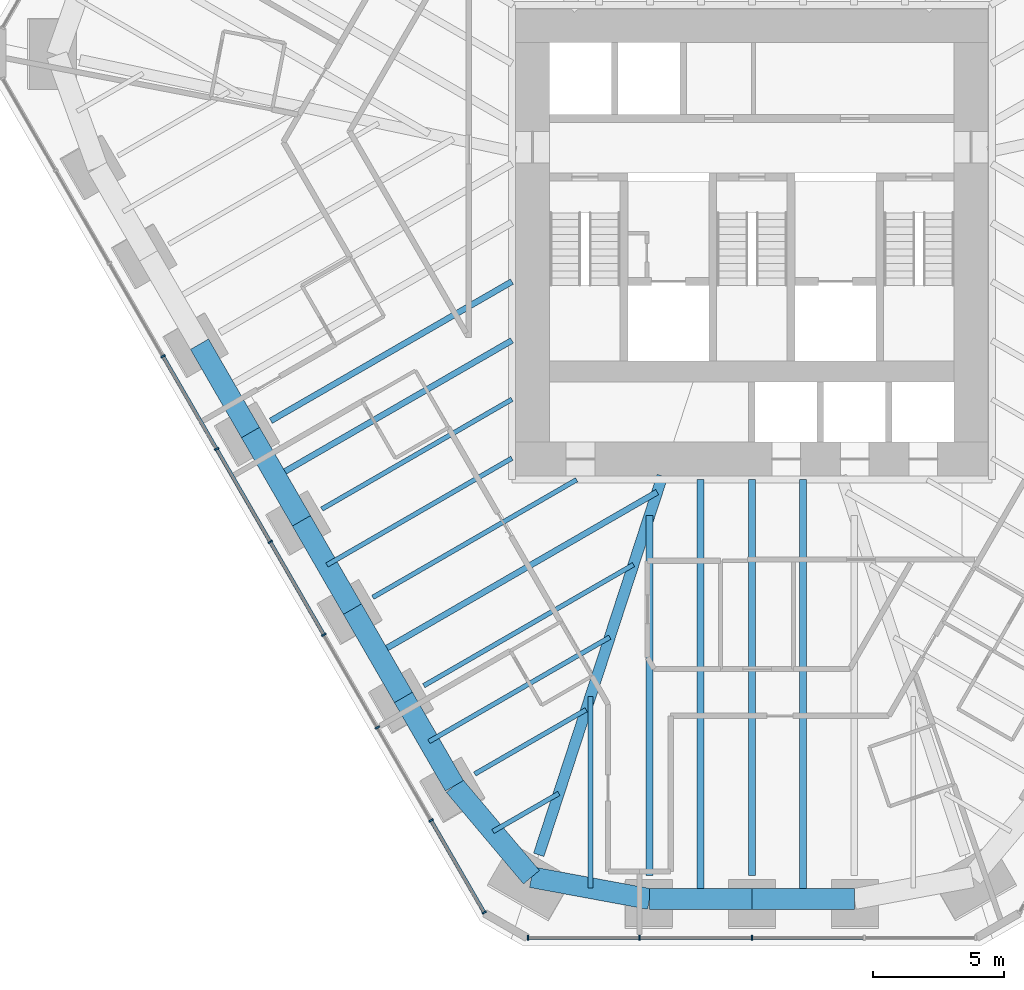
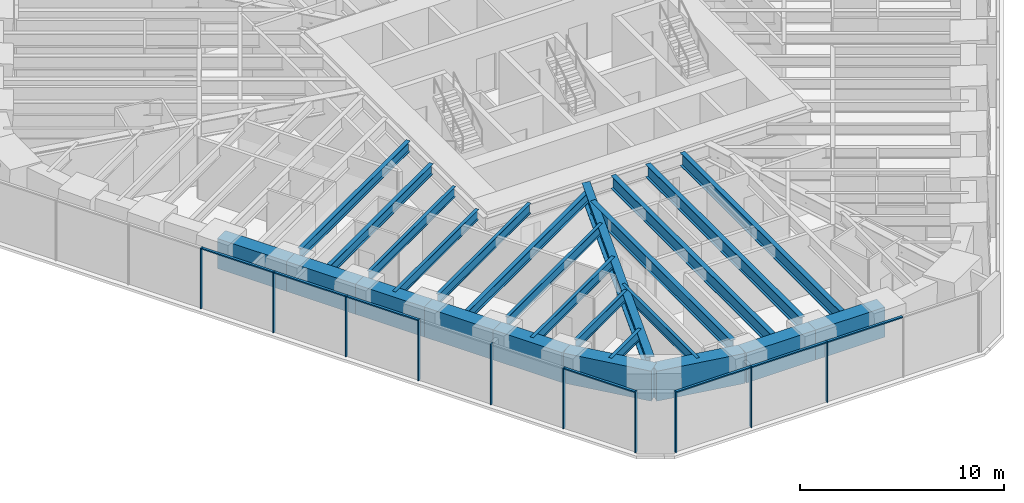
# One storey, part 2 of 17: 25 beams, 17 members, 2 elements without a shape of their own.
"""IFC4 building model written with IfcOpenShell, lengths in metres."""

from ifc_helpers import new_model, si_unit, direction, frame, origin, origin_2d, place, context, subcontext, project, spatial, rectangle, i_section, extrude, material, material_profile, profile_set, type_object, element, aggregate, save


model = new_model("IFC4")

# Units and contexts
model_context = context("Model", 3, precision=1e-05, world=origin(), true_north=direction((0.0, 1.0)))
body_context = subcontext(model_context, "Body", "Model", "MODEL_VIEW")
ifc_project = project(units=[si_unit("LENGTHUNIT", "METRE"), si_unit("AREAUNIT", "SQUARE_METRE"), si_unit("VOLUMEUNIT", "CUBIC_METRE"), si_unit("PLANEANGLEUNIT", "RADIAN"), si_unit("MASSUNIT", "GRAM", prefix="KILO")], contexts=[model_context])

# Site, building, storey
site_placement = place(None, origin())
site = spatial("IfcSite", under=ifc_project, at=site_placement, CompositionType="ELEMENT")
building_placement = place(site_placement, origin())
building = spatial("IfcBuilding", under=site, at=building_placement, Name="Sandreach Pilgrim Tower", CompositionType="ELEMENT")
storey_placement = place(building_placement, frame((0.0, 0.0, 150.0)))
storey = spatial("IfcBuildingStorey", under=building, at=storey_placement, Name="L37", CompositionType="ELEMENT", Elevation=150.0)

# Curtain wall, members
ifc_material_1 = material(Name="Aluminium framed curtain wall", Category="aluminium")
curtain_wall_type = type_object("IfcCurtainWallType", Name="Hotel tower curtain wall", PredefinedType="NOTDEFINED", material=ifc_material_1)
curtain_wall_1_placement = place(storey_placement, origin())
curtain_wall_1 = element("IfcCurtainWall", 1, at=curtain_wall_1_placement, inside=storey, type_object=curtain_wall_type, Name="CW-2 L37 S", PredefinedType="NOTDEFINED")
ifc_material_2 = material(Name="Aluminium extrusion", Category="aluminium")
ifc_material_profile_1 = material_profile(ifc_material_2, rectangle(XDim=0.06494140625, YDim=0.179931640625, at=origin_2d()), Name="CW-2M 65X180")
ifc_profile_set_1 = profile_set([ifc_material_profile_1], Name="Aluminium extrusion")
member_type_1 = type_object("IfcMemberType", Name="CW-2 mullion", PredefinedType="MULLION", material=ifc_profile_set_1)
member_1_placement = place(storey_placement, frame((0.0, -28.192138671875, 0.0), z_axis=(0.0, 0.0, 1.0), x_axis=(-1.0, 0.0, 0.0)))
member_1 = element("IfcMember", 2, at=member_1_placement, type_object=member_type_1, Name="CW-2 mullion 3", PredefinedType="MULLION", context=body_context, shape_type="SweptSolid", body=[
    extrude(rectangle(XDim=0.06494140625, YDim=0.179931640625, at=origin_2d()), origin(), (0.0, 0.0, 1.0), 3.639892578125),
])
member_2_placement = place(storey_placement, frame((-4.3056640625, -28.192138671875, 0.0), z_axis=(0.0, 0.0, 1.0), x_axis=(-1.0, 0.0, 0.0)))
member_2 = element("IfcMember", 3, at=member_2_placement, type_object=member_type_1, Name="CW-2 mullion 4", PredefinedType="MULLION", context=body_context, shape_type="SweptSolid", body=[
    extrude(rectangle(XDim=0.06494140625, YDim=0.179931640625, at=origin_2d()), origin(), (0.0, 0.0, 1.0), 3.639892578125),
])
member_3_placement = place(storey_placement, frame((-8.578857421875, -28.192138671875, 0.0), z_axis=(0.0, 0.0, 1.0), x_axis=(-1.0, 0.0, 0.0)))
member_3 = element("IfcMember", 4, at=member_3_placement, type_object=member_type_1, Name="CW-2 mullion 5", PredefinedType="MULLION", context=body_context, shape_type="SweptSolid", body=[
    extrude(rectangle(XDim=0.06494140625, YDim=0.179931640625, at=origin_2d()), origin(), (0.0, 0.0, 1.0), 3.639892578125),
])

curtain_wall_2_placement = place(storey_placement, origin())
curtain_wall_2 = element("IfcCurtainWall", 5, at=curtain_wall_2_placement, inside=storey, type_object=curtain_wall_type, Name="CW-2 L37 SW", PredefinedType="NOTDEFINED")
member_4_placement = place(storey_placement, frame((-10.255859375, -27.22412109375, 0.0), z_axis=(0.0, 0.0, 1.0), x_axis=(-0.5, 0.866025403784, 0.0)))
member_4 = element("IfcMember", 6, at=member_4_placement, type_object=member_type_1, Name="CW-2 mullion 1", PredefinedType="MULLION", context=body_context, shape_type="SweptSolid", body=[
    extrude(rectangle(XDim=0.06494140625, YDim=0.179931640625, at=origin_2d()), origin(), (0.0, 0.0, 1.0), 3.639892578125),
])
member_5_placement = place(storey_placement, frame((-12.29296875, -23.695556640625, 0.0), z_axis=(0.0, 0.0, 1.0), x_axis=(-0.5, 0.866025403784, 0.0)))
member_5 = element("IfcMember", 7, at=member_5_placement, type_object=member_type_1, Name="CW-2 mullion 2", PredefinedType="MULLION", context=body_context, shape_type="SweptSolid", body=[
    extrude(rectangle(XDim=0.06494140625, YDim=0.179931640625, at=origin_2d()), origin(), (0.0, 0.0, 1.0), 3.639892578125),
])
member_6_placement = place(storey_placement, frame((-14.346435546875, -20.138671875, 0.0), z_axis=(0.0, 0.0, 1.0), x_axis=(-0.5, 0.866025403784, 0.0)))
member_6 = element("IfcMember", 8, at=member_6_placement, type_object=member_type_1, Name="CW-2 mullion 3", PredefinedType="MULLION", context=body_context, shape_type="SweptSolid", body=[
    extrude(rectangle(XDim=0.06494140625, YDim=0.179931640625, at=origin_2d()), origin(), (0.0, 0.0, 1.0), 3.639892578125),
])
member_7_placement = place(storey_placement, frame((-16.39990234375, -16.58203125, 0.0), z_axis=(0.0, 0.0, 1.0), x_axis=(-0.5, 0.866025403784, 0.0)))
member_7 = element("IfcMember", 9, at=member_7_placement, type_object=member_type_1, Name="CW-2 mullion 4", PredefinedType="MULLION", context=body_context, shape_type="SweptSolid", body=[
    extrude(rectangle(XDim=0.06494140625, YDim=0.179931640625, at=origin_2d()), origin(), (0.0, 0.0, 1.0), 3.639892578125),
])
member_8_placement = place(storey_placement, frame((-18.453369140625, -13.025146484375, 0.0), z_axis=(0.0, 0.0, 1.0), x_axis=(-0.5, 0.866025403784, 0.0)))
member_8 = element("IfcMember", 10, at=member_8_placement, type_object=member_type_1, Name="CW-2 mullion 5", PredefinedType="MULLION", context=body_context, shape_type="SweptSolid", body=[
    extrude(rectangle(XDim=0.06494140625, YDim=0.179931640625, at=origin_2d()), origin(), (0.0, 0.0, 1.0), 3.639892578125),
])
member_9_placement = place(storey_placement, frame((-20.5068359375, -9.468505859375, 0.0), z_axis=(0.0, 0.0, 1.0), x_axis=(-0.5, 0.866025403784, 0.0)))
member_9 = element("IfcMember", 11, at=member_9_placement, type_object=member_type_1, Name="CW-2 mullion 6", PredefinedType="MULLION", context=body_context, shape_type="SweptSolid", body=[
    extrude(rectangle(XDim=0.06494140625, YDim=0.179931640625, at=origin_2d()), origin(), (0.0, 0.0, 1.0), 3.639892578125),
])
member_10_placement = place(storey_placement, frame((-22.560302734375, -5.911865234375, 0.0), z_axis=(0.0, 0.0, 1.0), x_axis=(-0.5, 0.866025403784, 0.0)))
member_10 = element("IfcMember", 12, at=member_10_placement, type_object=member_type_1, Name="CW-2 mullion 7", PredefinedType="MULLION", context=body_context, shape_type="SweptSolid", body=[
    extrude(rectangle(XDim=0.06494140625, YDim=0.179931640625, at=origin_2d()), origin(), (0.0, 0.0, 1.0), 3.639892578125),
])

# Member
ifc_material_3 = material(Name="Aluminium extrusion", Category="aluminium")
ifc_material_profile_2 = material_profile(ifc_material_3, rectangle(XDim=0.139892578125, YDim=0.070068359375, at=origin_2d()), Name="CW-2T 140X70")
ifc_profile_set_2 = profile_set([ifc_material_profile_2], Name="Aluminium extrusion")
member_type_2 = type_object("IfcMemberType", Name="CW-2 transom", PredefinedType="USERDEFINED", material=ifc_profile_set_2)
member_11_placement = place(storey_placement, frame((4.273193359375, -28.192138671875, 3.60498046875), z_axis=(-1.0, 0.0, 0.0), x_axis=(0.0, -1.0, 0.0)))
member_11 = element("IfcMember", 13, at=member_11_placement, type_object=member_type_2, Name="CW-2 head transom 2", ObjectType="TRANSOM", PredefinedType="USERDEFINED", context=body_context, shape_type="SweptSolid", body=[
    extrude(rectangle(XDim=0.139892578125, YDim=0.070068359375, at=origin_2d()), origin(), (0.0, 0.0, 1.0), 4.24072265625),
])

member_12_placement = place(storey_placement, frame((-0.032470703125, -28.192138671875, 3.60498046875), z_axis=(-1.0, 0.0, 0.0), x_axis=(0.0, -1.0, 0.0)))
member_12 = element("IfcMember", 14, at=member_12_placement, type_object=member_type_2, Name="CW-2 head transom 3", ObjectType="TRANSOM", PredefinedType="USERDEFINED", context=body_context, shape_type="SweptSolid", body=[
    extrude(rectangle(XDim=0.139892578125, YDim=0.070068359375, at=origin_2d()), origin(), (0.0, 0.0, 1.0), 4.24072265625),
])

member_13_placement = place(storey_placement, frame((-4.338134765625, -28.192138671875, 3.60498046875), z_axis=(-1.0, 0.0, 0.0), x_axis=(0.0, -1.0, 0.0)))
member_13 = element("IfcMember", 15, at=member_13_placement, type_object=member_type_2, Name="CW-2 head transom 4", ObjectType="TRANSOM", PredefinedType="USERDEFINED", context=body_context, shape_type="SweptSolid", body=[
    extrude(rectangle(XDim=0.139892578125, YDim=0.070068359375, at=origin_2d()), origin(), (0.0, 0.0, 1.0), 4.208251953125),
])

aggregate(curtain_wall_1, [member_1, member_2, member_3, member_11, member_12, member_13])

member_14_placement = place(storey_placement, frame((-10.27197265625, -27.196044921875, 3.60498046875), z_axis=(-0.500015851672, 0.866016251624, 0.0), x_axis=(-0.866016251624, -0.500015851672, 0.0)))
member_14 = element("IfcMember", 16, at=member_14_placement, type_object=member_type_2, Name="CW-2 head transom 1", ObjectType="TRANSOM", PredefinedType="USERDEFINED", context=body_context, shape_type="SweptSolid", body=[
    extrude(rectangle(XDim=0.139892578125, YDim=0.070068359375, at=origin_2d()), origin(), (0.0, 0.0, 1.0), 4.009521484375),
])

member_15_placement = place(storey_placement, frame((-16.416259765625, -16.553955078125, 3.60498046875), z_axis=(-0.499997818338, 0.866026663364, 0.0), x_axis=(-0.866026663364, -0.499997818338, 0.0)))
member_15 = element("IfcMember", 17, at=member_15_placement, type_object=member_type_2, Name="CW-2 head transom 4", ObjectType="TRANSOM", PredefinedType="USERDEFINED", context=body_context, shape_type="SweptSolid", body=[
    extrude(rectangle(XDim=0.139892578125, YDim=0.070068359375, at=origin_2d()), origin(), (0.0, 0.0, 1.0), 4.0419921875),
])

member_16_placement = place(storey_placement, frame((-18.4697265625, -12.9970703125, 3.60498046875), z_axis=(-0.499997818338, 0.866026663364, 0.0), x_axis=(-0.866026663364, -0.499997818338, 0.0)))
member_16 = element("IfcMember", 18, at=member_16_placement, type_object=member_type_2, Name="CW-2 head transom 5", ObjectType="TRANSOM", PredefinedType="USERDEFINED", context=body_context, shape_type="SweptSolid", body=[
    extrude(rectangle(XDim=0.139892578125, YDim=0.070068359375, at=origin_2d()), origin(), (0.0, 0.0, 1.0), 4.0419921875),
])

member_17_placement = place(storey_placement, frame((-20.523193359375, -9.4404296875, 3.60498046875), z_axis=(-0.499997818338, 0.866026663364, 0.0), x_axis=(-0.866026663364, -0.499997818338, 0.0)))
member_17 = element("IfcMember", 19, at=member_17_placement, type_object=member_type_2, Name="CW-2 head transom 6", ObjectType="TRANSOM", PredefinedType="USERDEFINED", context=body_context, shape_type="SweptSolid", body=[
    extrude(rectangle(XDim=0.139892578125, YDim=0.070068359375, at=origin_2d()), origin(), (0.0, 0.0, 1.0), 4.0419921875),
])

aggregate(curtain_wall_2, [member_4, member_5, member_6, member_7, member_8, member_9, member_10, member_14, member_15, member_16, member_17])

# Beams
ifc_material_4 = material(Name="Steel ASTM A992 Grade 50", Category="steel")
ifc_material_profile_3 = material_profile(ifc_material_4, i_section(OverallWidth=0.421630859375, OverallDepth=0.937255859375, WebThickness=0.0224609375, FlangeThickness=0.039794921875, at=origin_2d()), Name="W36X282")
ifc_profile_set_3 = profile_set([ifc_material_profile_3], Name="Steel ASTM A992 Grade 50")
beam_type_1 = type_object("IfcBeamType", Name="Corner girder W36X282", PredefinedType="BEAM", material=ifc_profile_set_3)
beam_1_placement = place(storey_placement, frame((-8.166015625, -25.01611328125, 3.17138671875), z_axis=(0.310317157358, 0.950633084765, 0.0), x_axis=(-0.950633084765, 0.310317157358, 0.0)))
element("IfcBeam", 20, at=beam_1_placement, inside=storey, type_object=beam_type_1, Name="BM L37 CG26", PredefinedType="BEAM", context=body_context, shape_type="SweptSolid", body=[
    extrude(i_section(OverallWidth=0.421630859375, OverallDepth=0.937255859375, WebThickness=0.0224609375, FlangeThickness=0.039794921875, at=origin_2d()), origin(), (0.0, 0.0, 1.0), 15.27001953125),
])
ifc_material_5 = material(Name="Steel ASTM A992 Grade 50", Category="steel")
ifc_material_profile_4 = material_profile(ifc_material_5, i_section(OverallWidth=0.1787109375, OverallDepth=0.60205078125, WebThickness=0.010986328125, FlangeThickness=0.014892578125, at=origin_2d()), Name="W24X62")
ifc_profile_set_4 = profile_set([ifc_material_profile_4], Name="Steel ASTM A992 Grade 50")
beam_type_2 = type_object("IfcBeamType", Name="Floor beam W24X62", PredefinedType="BEAM", material=ifc_profile_set_4)
beam_2_placement = place(storey_placement, frame((-10.617431640625, -21.918212890625, 3.339111328125), z_axis=(0.866032927668, 0.499986968025, 0.0), x_axis=(-0.499986968025, 0.866032927668, 0.0)))
element("IfcBeam", 21, at=beam_2_placement, inside=storey, type_object=beam_type_2, Name="BM L37 F27", PredefinedType="BEAM", context=body_context, shape_type="SweptSolid", body=[
    extrude(i_section(OverallWidth=0.1787109375, OverallDepth=0.60205078125, WebThickness=0.010986328125, FlangeThickness=0.014892578125, at=origin_2d()), origin(), (0.0, 0.0, 1.0), 4.927001953125),
])
beam_3_placement = place(storey_placement, frame((-12.570556640625, -18.53515625, 3.339111328125), z_axis=(0.866014236654, 0.500019341538, 0.0), x_axis=(-0.500019341538, 0.866014236654, 0.0)))
element("IfcBeam", 22, at=beam_3_placement, inside=storey, type_object=beam_type_2, Name="BM L37 F28", PredefinedType="BEAM", context=body_context, shape_type="SweptSolid", body=[
    extrude(i_section(OverallWidth=0.1787109375, OverallDepth=0.60205078125, WebThickness=0.010986328125, FlangeThickness=0.014892578125, at=origin_2d()), origin(), (0.0, 0.0, 1.0), 9.277587890625),
])
beam_4_placement = place(storey_placement, frame((-14.52392578125, -15.15185546875, 3.339111328125), z_axis=(0.86602010863, 0.500009171364, 0.0), x_axis=(-0.500009171364, 0.86602010863, 0.0)))
element("IfcBeam", 23, at=beam_4_placement, inside=storey, type_object=beam_type_2, Name="BM L37 F29", PredefinedType="BEAM", context=body_context, shape_type="SweptSolid", body=[
    extrude(i_section(OverallWidth=0.1787109375, OverallDepth=0.60205078125, WebThickness=0.010986328125, FlangeThickness=0.014892578125, at=origin_2d()), origin(), (0.0, 0.0, 1.0), 9.016845703125),
])
beam_5_placement = place(storey_placement, frame((-16.477294921875, -11.7685546875, 3.339111328125), z_axis=(0.866028486751, 0.499994660107, 0.0), x_axis=(-0.499994660107, 0.866028486751, 0.0)))
element("IfcBeam", 24, at=beam_5_placement, inside=storey, type_object=beam_type_2, Name="BM L37 F30", PredefinedType="BEAM", context=body_context, shape_type="SweptSolid", body=[
    extrude(i_section(OverallWidth=0.1787109375, OverallDepth=0.60205078125, WebThickness=0.010986328125, FlangeThickness=0.014892578125, at=origin_2d()), origin(), (0.0, 0.0, 1.0), 8.41064453125),
])
beam_6_placement = place(storey_placement, frame((-6.183837890625, -26.28955078125, 3.339111328125), z_axis=(0.0, 1.0, 0.0), x_axis=(-1.0, 0.0, 0.0)))
element("IfcBeam", 25, at=beam_6_placement, inside=storey, type_object=beam_type_2, Name="BM L37 FM25", PredefinedType="BEAM", context=body_context, shape_type="SweptSolid", body=[
    extrude(i_section(OverallWidth=0.1787109375, OverallDepth=0.60205078125, WebThickness=0.010986328125, FlangeThickness=0.014892578125, at=origin_2d()), origin(), (0.0, 0.0, 1.0), 7.345947265625),
])
beam_7_placement = place(storey_placement, frame((-9.9208984375, -24.119873046875, 3.339111328125), z_axis=(0.866037657489, 0.499978775361, 0.0), x_axis=(-0.499978775361, 0.866037657489, 0.0)))
element("IfcBeam", 26, at=beam_7_placement, inside=storey, type_object=beam_type_2, Name="BM L37 FM26", PredefinedType="BEAM", context=body_context, shape_type="SweptSolid", body=[
    extrude(i_section(OverallWidth=0.1787109375, OverallDepth=0.60205078125, WebThickness=0.010986328125, FlangeThickness=0.014892578125, at=origin_2d()), origin(), (0.0, 0.0, 1.0), 2.913330078125),
])
beam_8_placement = place(storey_placement, frame((-12.37353515625, -20.6767578125, 3.339111328125), z_axis=(0.866020974757, 0.500007671222, 0.0), x_axis=(-0.500007671222, 0.866020974757, 0.0)))
element("IfcBeam", 27, at=beam_8_placement, inside=storey, type_object=beam_type_2, Name="BM L37 FM27", PredefinedType="BEAM", context=body_context, shape_type="SweptSolid", body=[
    extrude(i_section(OverallWidth=0.1787109375, OverallDepth=0.60205078125, WebThickness=0.010986328125, FlangeThickness=0.014892578125, at=origin_2d()), origin(), (0.0, 0.0, 1.0), 8.002197265625),
])
beam_9_placement = place(storey_placement, frame((-16.280029296875, -13.91015625, 3.339111328125), z_axis=(0.866035044717, 0.499983301043, 0.0), x_axis=(-0.499983301043, 0.866035044717, 0.0)))
element("IfcBeam", 28, at=beam_9_placement, inside=storey, type_object=beam_type_2, Name="BM L37 FM29", PredefinedType="BEAM", context=body_context, shape_type="SweptSolid", body=[
    extrude(i_section(OverallWidth=0.1787109375, OverallDepth=0.60205078125, WebThickness=0.010986328125, FlangeThickness=0.014892578125, at=origin_2d()), origin(), (0.0, 0.0, 1.0), 8.182861328125),
])
ifc_material_6 = material(Name="Steel ASTM A992 Grade 50", Category="steel")
ifc_material_profile_5 = material_profile(ifc_material_6, i_section(OverallWidth=0.23046875, OverallDepth=0.6171875, WebThickness=0.01318359375, FlangeThickness=0.022216796875, at=origin_2d()), Name="W24X94")
ifc_profile_set_5 = profile_set([ifc_material_profile_5], Name="Steel ASTM A992 Grade 50")
beam_type_3 = type_object("IfcBeamType", Name="Floor beam W24X94", PredefinedType="BEAM", material=ifc_profile_set_5)
beam_10_placement = place(storey_placement, frame((-18.4306640625, -8.385498046875, 3.331298828125), z_axis=(0.866021684948, 0.500006441159, 0.0), x_axis=(-0.500006441159, 0.866021684948, 0.0)))
element("IfcBeam", 29, at=beam_10_placement, inside=storey, type_object=beam_type_3, Name="BM L37 F31", PredefinedType="BEAM", context=body_context, shape_type="SweptSolid", body=[
    extrude(i_section(OverallWidth=0.23046875, OverallDepth=0.6171875, WebThickness=0.01318359375, FlangeThickness=0.022216796875, at=origin_2d()), origin(), (0.0, 0.0, 1.0), 10.666259765625),
])
beam_11_placement = place(storey_placement, frame((-14.32666015625, -17.29345703125, 3.331298828125), z_axis=(0.86602826301, 0.499995047643, 0.0), x_axis=(-0.499995047643, 0.86602826301, 0.0)))
element("IfcBeam", 30, at=beam_11_placement, inside=storey, type_object=beam_type_3, Name="BM L37 FM28", PredefinedType="BEAM", context=body_context, shape_type="SweptSolid", body=[
    extrude(i_section(OverallWidth=0.23046875, OverallDepth=0.6171875, WebThickness=0.01318359375, FlangeThickness=0.022216796875, at=origin_2d()), origin(), (0.0, 0.0, 1.0), 12.352783203125),
])
beam_12_placement = place(storey_placement, frame((-18.2333984375, -10.527099609375, 3.331298828125), z_axis=(0.866026677491, 0.499997793869, 0.0), x_axis=(-0.499997793869, 0.866026677491, 0.0)))
element("IfcBeam", 31, at=beam_12_placement, inside=storey, type_object=beam_type_3, Name="BM L37 FM30", PredefinedType="BEAM", context=body_context, shape_type="SweptSolid", body=[
    extrude(i_section(OverallWidth=0.23046875, OverallDepth=0.6171875, WebThickness=0.01318359375, FlangeThickness=0.022216796875, at=origin_2d()), origin(), (0.0, 0.0, 1.0), 10.4384765625),
])
ifc_material_7 = material(Name="Steel ASTM A992 Grade 50", Category="steel")
ifc_material_profile_6 = material_profile(ifc_material_7, i_section(OverallWidth=0.2666015625, OverallDepth=0.761962890625, WebThickness=0.014404296875, FlangeThickness=0.021484375, at=origin_2d()), Name="W30X116")
ifc_profile_set_6 = profile_set([ifc_material_profile_6], Name="Steel ASTM A992 Grade 50")
beam_type_4 = type_object("IfcBeamType", Name="Floor beam W30X116", PredefinedType="BEAM", material=ifc_profile_set_6)
beam_13_placement = place(storey_placement, frame((-3.922119140625, -25.8076171875, 3.259033203125), z_axis=(0.0, 1.0, 0.0), x_axis=(-1.0, 0.0, 0.0)))
element("IfcBeam", 32, at=beam_13_placement, inside=storey, type_object=beam_type_4, Name="BM L37 F25", PredefinedType="BEAM", context=body_context, shape_type="SweptSolid", body=[
    extrude(i_section(OverallWidth=0.2666015625, OverallDepth=0.761962890625, WebThickness=0.014404296875, FlangeThickness=0.021484375, at=origin_2d()), origin(), (0.0, 0.0, 1.0), 13.7919921875),
])
ifc_material_8 = material(Name="Steel ASTM A992 Grade 50", Category="steel")
ifc_material_profile_7 = material_profile(ifc_material_8, i_section(OverallWidth=0.2666015625, OverallDepth=0.77978515625, WebThickness=0.0166015625, FlangeThickness=0.030029296875, at=origin_2d()), Name="W30X148")
ifc_profile_set_7 = profile_set([ifc_material_profile_7], Name="Steel ASTM A992 Grade 50")
beam_type_5 = type_object("IfcBeamType", Name="Floor beam W30X148", PredefinedType="BEAM", material=ifc_profile_set_7)
beam_14_placement = place(storey_placement, frame((0.0, -25.8076171875, 3.25), z_axis=(0.0, 1.0, 0.0), x_axis=(-1.0, 0.0, 0.0)))
element("IfcBeam", 33, at=beam_14_placement, inside=storey, type_object=beam_type_5, Name="BM L37 F24", PredefinedType="BEAM", context=body_context, shape_type="SweptSolid", body=[
    extrude(i_section(OverallWidth=0.2666015625, OverallDepth=0.77978515625, WebThickness=0.0166015625, FlangeThickness=0.030029296875, at=origin_2d()), origin(), (0.0, 0.0, 1.0), 15.164306640625),
])
for number, where, z_axis, x_axis, name in (
    (34, (1.961181640625, -26.70751953125, 3.25), (0.0, 1.0, 0.0), (-1.0, 0.0, 0.0), "BM L37 FM23"),
    (35, (-1.961181640625, -26.70751953125, 3.25), (0.0, 1.0, 0.0), (-1.0, 0.0, 0.0), "BM L37 FM24"),
):
    element("IfcBeam", number, at=place(storey_placement, frame(where, z_axis=z_axis, x_axis=x_axis)), inside=storey, type_object=beam_type_5, Name=name, PredefinedType="BEAM", context=body_context, shape_type="SweptSolid", body=[
        extrude(i_section(OverallWidth=0.2666015625, OverallDepth=0.77978515625, WebThickness=0.0166015625, FlangeThickness=0.030029296875, at=origin_2d()), origin(), (0.0, 0.0, 1.0), 16.064208984375),
    ])
ifc_material_9 = material(Name="Concrete 10000 psi", Category="concrete")
ifc_material_profile_8 = material_profile(ifc_material_9, rectangle(XDim=0.800048828125, YDim=1.800048828125, at=origin_2d()), Name="RC800X1800")
ifc_profile_set_8 = profile_set([ifc_material_profile_8], Name="Concrete 10000 psi")
beam_type_6 = type_object("IfcBeamType", Name="Spandrel beam RC800X1800", PredefinedType="SPANDREL", material=ifc_profile_set_8)
for number, where, z_axis, x_axis, name in (
    (36, (3.922119140625, -26.70751953125, 2.739990234375), (-1.0, 0.0, 0.0), (0.0, -1.0, 0.0), "BM L37 SP23"),
    (37, (0.0, -26.70751953125, 2.739990234375), (-1.0, 0.0, 0.0), (0.0, -1.0, 0.0), "BM L37 SP24"),
):
    element("IfcBeam", number, at=place(storey_placement, frame(where, z_axis=z_axis, x_axis=x_axis)), inside=storey, type_object=beam_type_6, Name=name, PredefinedType="SPANDREL", context=body_context, shape_type="SweptSolid", body=[
        extrude(rectangle(XDim=0.800048828125, YDim=1.800048828125, at=origin_2d()), origin(), (0.0, 0.0, 1.0), 3.922119140625),
    ])
beam_15_placement = place(storey_placement, frame((-3.922119140625, -26.70751953125, 2.739990234375), z_axis=(-0.983347758389, 0.18173383304, 0.0), x_axis=(-0.18173383304, -0.983347758389, 0.0)))
element("IfcBeam", 38, at=beam_15_placement, inside=storey, type_object=beam_type_6, Name="BM L37 SP25", PredefinedType="SPANDREL", context=body_context, shape_type="SweptSolid", body=[
    extrude(rectangle(XDim=0.800048828125, YDim=1.800048828125, at=origin_2d()), origin(), (0.0, 0.0, 1.0), 4.599853515625),
])
beam_16_placement = place(storey_placement, frame((-8.4453125, -25.87158203125, 2.739990234375), z_axis=(-0.644311342191, 0.764763293002, 0.0), x_axis=(-0.764763293002, -0.644311342191, 0.0)))
element("IfcBeam", 39, at=beam_16_placement, inside=storey, type_object=beam_type_6, Name="BM L37 SP26", PredefinedType="SPANDREL", context=body_context, shape_type="SweptSolid", body=[
    extrude(rectangle(XDim=0.800048828125, YDim=1.800048828125, at=origin_2d()), origin(), (0.0, 0.0, 1.0), 4.580810546875),
])
for number, where, z_axis, x_axis, name in (
    (40, (-11.396728515625, -22.368408203125, 2.739990234375), (-0.500003748129, 0.866023239791, 0.0), (-0.866023239791, -0.500003748129, 0.0), "BM L37 SP27"),
    (41, (-13.35009765625, -18.985107421875, 2.739990234375), (-0.500003748129, 0.866023239791, 0.0), (-0.866023239791, -0.500003748129, 0.0), "BM L37 SP28"),
):
    element("IfcBeam", number, at=place(storey_placement, frame(where, z_axis=z_axis, x_axis=x_axis)), inside=storey, type_object=beam_type_6, Name=name, PredefinedType="SPANDREL", context=body_context, shape_type="SweptSolid", body=[
        extrude(rectangle(XDim=0.800048828125, YDim=1.800048828125, at=origin_2d()), origin(), (0.0, 0.0, 1.0), 3.90673828125),
    ])
beam_17_placement = place(storey_placement, frame((-15.303466796875, -15.601806640625, 2.739990234375), z_axis=(-0.499983937298, 0.866034677391, 0.0), x_axis=(-0.866034677391, -0.499983937298, 0.0)))
element("IfcBeam", 42, at=beam_17_placement, inside=storey, type_object=beam_type_6, Name="BM L37 SP29", PredefinedType="SPANDREL", context=body_context, shape_type="SweptSolid", body=[
    extrude(rectangle(XDim=0.800048828125, YDim=1.800048828125, at=origin_2d()), origin(), (0.0, 0.0, 1.0), 3.906494140625),
])
for number, where, z_axis, x_axis, name in (
    (43, (-17.256591796875, -12.21875, 2.739990234375), (-0.500003748129, 0.866023239791, 0.0), (-0.866023239791, -0.500003748129, 0.0), "BM L37 SP30"),
    (44, (-19.2099609375, -8.83544921875, 2.739990234375), (-0.500003748129, 0.866023239791, 0.0), (-0.866023239791, -0.500003748129, 0.0), "BM L37 SP31"),
):
    element("IfcBeam", number, at=place(storey_placement, frame(where, z_axis=z_axis, x_axis=x_axis)), inside=storey, type_object=beam_type_6, Name=name, PredefinedType="SPANDREL", context=body_context, shape_type="SweptSolid", body=[
        extrude(rectangle(XDim=0.800048828125, YDim=1.800048828125, at=origin_2d()), origin(), (0.0, 0.0, 1.0), 3.90673828125),
    ])

save(model, "model.ifc")
